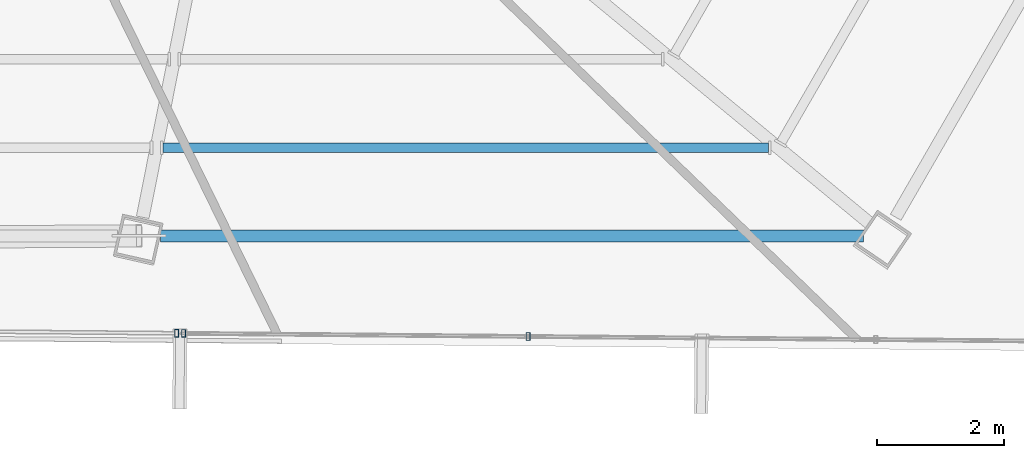
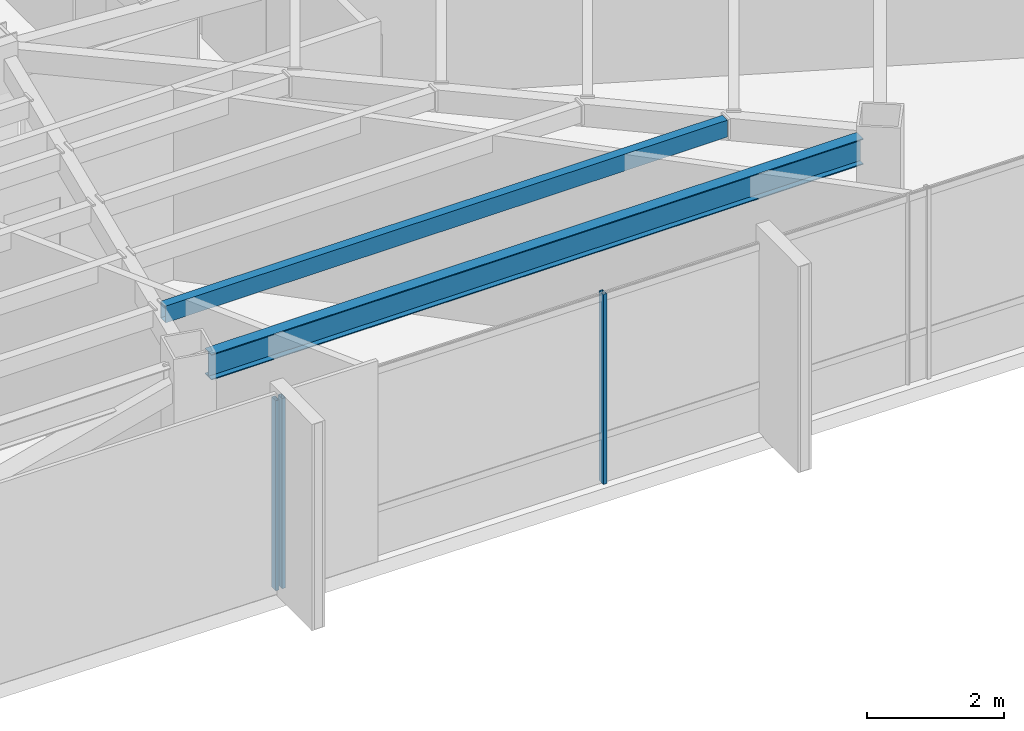
# One storey, part 19 of 45: 3 members, 2 beams, 2 elements without a shape of their own.
"""IFC4 building model written with IfcOpenShell, lengths in metres."""

from ifc_helpers import new_model, si_unit, direction, frame, origin, origin_2d, place, context, subcontext, project, spatial, hollow_rectangle, i_section, extrude, source, transform, mapped, material, material_profile, profile_set, type_object, type_shapes, element, aggregate, save


model = new_model("IFC4")

# Units and contexts
model_context = context("Model", 3, precision=1e-05, world=origin(), true_north=direction((0.0, 1.0)))
body_context = subcontext(model_context, "Body", "Model", "MODEL_VIEW")
ifc_project = project(units=[si_unit("LENGTHUNIT", "METRE"), si_unit("AREAUNIT", "SQUARE_METRE"), si_unit("VOLUMEUNIT", "CUBIC_METRE"), si_unit("PLANEANGLEUNIT", "RADIAN"), si_unit("MASSUNIT", "GRAM", prefix="KILO")], contexts=[model_context])

# Site, building, storey
site_placement = place(None, origin())
site = spatial("IfcSite", under=ifc_project, at=site_placement, CompositionType="ELEMENT")
building_placement = place(site_placement, origin())
building = spatial("IfcBuilding", under=site, at=building_placement, Name="Caelisora Broadcast Tower", CompositionType="ELEMENT")
storey_placement = place(building_placement, frame((0.0, 0.0, 240.800048828125)))
storey = spatial("IfcBuildingStorey", under=building, at=storey_placement, Name="L63", CompositionType="ELEMENT", Elevation=240.800048828125)

# Beams
ifc_material_1 = material(Name="Steel Grade 350 (AS/NZS 3679.1)", Category="steel")
ifc_material_profile_1 = material_profile(ifc_material_1, i_section(OverallWidth=0.19091796875, OverallDepth=0.46044921875, WebThickness=0.010009765625, FlangeThickness=0.01611328125, at=origin_2d()), Name="Steel Grade 350 (AS/NZS 3679.1)")
ifc_profile_set_1 = profile_set([ifc_material_profile_1], Name="Steel Grade 350 (AS/NZS 3679.1)")
beam_type_1 = type_object("IfcBeamType", Name="PG06", PredefinedType="BEAM", material=ifc_profile_set_1)
shared_shape_1 = source(origin(), body_context, "Body", "SweptSolid", [
    extrude(i_section(OverallWidth=0.19091796875, OverallDepth=0.46044921875, WebThickness=0.010009765625, FlangeThickness=0.01611328125, at=origin_2d()), origin(), (0.0, 0.0, 1.0), 11.02587890625),
])
type_shapes(beam_type_1, [shared_shape_1])
beam_1_placement = place(storey_placement, frame((44.18896484375, 9.09521484375, 3.169677734375), z_axis=(1.0, 0.0, 0.0), x_axis=(0.0, 1.0, 0.0)))
element("IfcBeam", 1, at=beam_1_placement, inside=storey, type_object=beam_type_1, Name="L63 beam PG06", PredefinedType="BEAM", context=body_context, shape_type="MappedRepresentation", body=[
    mapped(shared_shape_1, transform((0.0, 0.0, 0.0), scale=1.0)),
])
ifc_material_2 = material(Name="Steel Grade 350 (AS/NZS 1163 C350L0)", Category="steel")
ifc_material_profile_2 = material_profile(ifc_material_2, hollow_rectangle(XDim=0.14990234375, YDim=0.300048828125, WallThickness=0.010009765625, at=origin_2d()), Name="Steel Grade 350 (AS/NZS 1163 C350L0)")
ifc_profile_set_2 = profile_set([ifc_material_profile_2], Name="Steel Grade 350 (AS/NZS 1163 C350L0)")
beam_type_2 = type_object("IfcBeamType", Name="SB05", PredefinedType="JOIST", material=ifc_profile_set_2)
shared_shape_2 = source(origin(), body_context, "Body", "SweptSolid", [
    extrude(hollow_rectangle(XDim=0.14990234375, YDim=0.300048828125, WallThickness=0.010009765625, at=origin_2d()), origin(), (0.0, 0.0, 1.0), 9.49853515625),
])
type_shapes(beam_type_2, [shared_shape_2])
beam_2_placement = place(storey_placement, frame((44.224853515625, 10.479248046875, 3.25), z_axis=(1.0, 0.0, 0.0), x_axis=(0.0, 1.0, 0.0)))
element("IfcBeam", 2, at=beam_2_placement, inside=storey, type_object=beam_type_2, Name="L63 beam SB05", PredefinedType="JOIST", context=body_context, shape_type="MappedRepresentation", body=[
    mapped(shared_shape_2, transform((0.0, 0.0, 0.0), scale=1.0)),
])

# Curtain wall, members
ifc_material_3 = material(Name="Unitised Aluminium and Low-E Glass Curtain Wall", Category="glass")
curtain_wall_type_1 = type_object("IfcCurtainWallType", Name="CW-Z5", PredefinedType="NOTDEFINED", material=ifc_material_3)
curtain_wall_1_placement = place(storey_placement, origin())
curtain_wall_1 = element("IfcCurtainWall", 3, at=curtain_wall_1_placement, inside=storey, type_object=curtain_wall_type_1, Name="L63 curtain wall CW-Z5", PredefinedType="NOTDEFINED")
ifc_material_4 = material(Name="Aluminium 6063-T6 Anodised Terracotta Bronze", Category="aluminium")
ifc_material_profile_3 = material_profile(ifc_material_4, hollow_rectangle(XDim=0.06005859375, YDim=0.1201171875, WallThickness=0.0029296875, at=origin_2d()), Name="Aluminium 6063-T6 Anodised Terracotta Bronze")
ifc_profile_set_3 = profile_set([ifc_material_profile_3], Name="Aluminium 6063-T6 Anodised Terracotta Bronze")
member_type = type_object("IfcMemberType", Name="CWM-04", PredefinedType="MULLION", material=ifc_profile_set_3)
shared_shape_3 = source(origin(), body_context, "Body", "SweptSolid", [
    extrude(hollow_rectangle(XDim=0.06005859375, YDim=0.1201171875, WallThickness=0.0029296875, at=origin_2d()), origin(), (0.0, 0.0, 1.0), 3.39990234375),
])
type_shapes(member_type, [shared_shape_3])
member_1_placement = place(storey_placement, frame((49.955078125, 7.517822265625, 0.0), z_axis=(0.0, 0.0, 1.0), x_axis=(1.0, 0.0, 0.0)))
member_1 = element("IfcMember", 4, at=member_1_placement, type_object=member_type, Name="L63-CW-B05 mullion #2", PredefinedType="MULLION", context=body_context, shape_type="MappedRepresentation", body=[
    mapped(shared_shape_3, transform((0.0, 0.0, 0.0), scale=1.0)),
])
member_2_placement = place(storey_placement, frame((44.551513671875, 7.56640625, 0.0), z_axis=(0.0, 0.0, 1.0), x_axis=(1.0, 0.0, 0.0)))
member_2 = element("IfcMember", 5, at=member_2_placement, type_object=member_type, Name="L63-CW-B05 mullion #3", PredefinedType="MULLION", context=body_context, shape_type="MappedRepresentation", body=[
    mapped(shared_shape_3, transform((0.0, 0.0, 0.0), scale=1.0)),
])
aggregate(curtain_wall_1, [member_1, member_2])

# Curtain wall, member
ifc_material_5 = material(Name="Unitised Aluminium Insulated Shadow-Box Spandrel Curtain Wall", Category="aluminium")
curtain_wall_type_2 = type_object("IfcCurtainWallType", Name="CW-SP3", PredefinedType="NOTDEFINED", material=ifc_material_5)
curtain_wall_2_placement = place(storey_placement, origin())
curtain_wall_2 = element("IfcCurtainWall", 6, at=curtain_wall_2_placement, inside=storey, type_object=curtain_wall_type_2, Name="L63 curtain wall CW-SP3", PredefinedType="NOTDEFINED")
member_3_placement = place(storey_placement, frame((44.441650390625, 7.5673828125, 0.0), z_axis=(0.0, 0.0, 1.0), x_axis=(1.0, 0.0, 0.0)))
member_3 = element("IfcMember", 7, at=member_3_placement, type_object=member_type, Name="L63-CW-B06 mullion #0", PredefinedType="MULLION", context=body_context, shape_type="MappedRepresentation", body=[
    mapped(shared_shape_3, transform((0.0, 0.0, 0.0), scale=1.0)),
])
aggregate(curtain_wall_2, [member_3])

save(model, "model.ifc")
